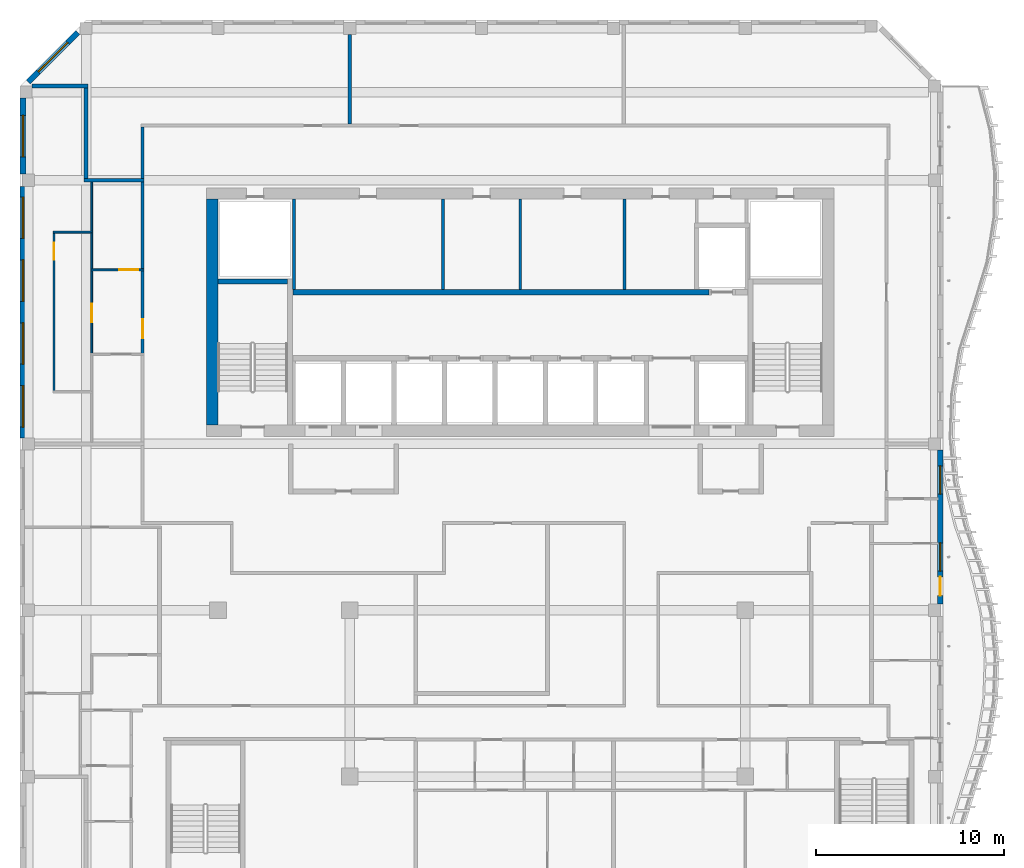
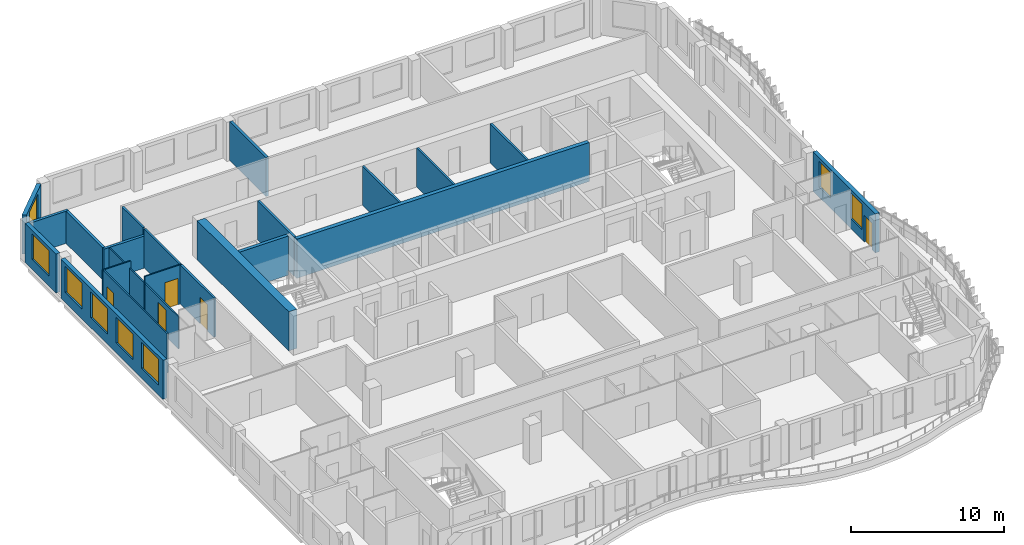
# One storey, part 7 of 18: 24 walls, 8 windows, 5 doors, 13 openings.
"""IFC4 building model written with IfcOpenShell, lengths in metres."""

import ifcopenshell
import ifcopenshell.guid

model = None  # the IFC model being written
_history = None  # IfcOwnerHistory: only IFC2X3 demands one
_inside = {}  # id of a spatial element -> (the spatial element, [elements in it])
_under = {}  # id of a project, library or spatial element -> (it, [spatial elements below it])
_declared = {}  # id of a project -> (the project, [libraries it declares])
_typed = {}  # id of a type object -> (the type object, [elements of that type])
_made_of = {}  # id of a material, layer set ... -> (it, [elements and type objects made of it])


def new_model(schema):
    """Start an empty IFC model of exactly this schema.

    Asked for "IFC4X3", IfcOpenShell would pick the latest addendum, in which some entities
    have other attributes; the version numbers below select the first issue.
    IFC2X3 requires an IfcOwnerHistory on every rooted entity: one is made here for all.
    """
    global model, _history
    if schema == "IFC4X3":
        model = ifcopenshell.file(schema_version=(4, 3, 0, 0))
    else:
        model = ifcopenshell.file(schema=schema)
    _inside.clear()
    _under.clear()
    _declared.clear()
    _typed.clear()
    _made_of.clear()
    _history = None
    if model.schema == "IFC2X3":
        org = make("IfcOrganization", Name="unknown")
        user = make(
            "IfcPersonAndOrganization",
            ThePerson=make("IfcPerson", FamilyName="unknown"),
            TheOrganization=org,
        )
        app = make(
            "IfcApplication",
            ApplicationDeveloper=org,
            Version="unknown",
            ApplicationFullName="unknown",
            ApplicationIdentifier="unknown",
        )
        _history = make(
            "IfcOwnerHistory",
            OwningUser=user,
            OwningApplication=app,
            ChangeAction="ADDED",
            CreationDate=0,
        )
    return model


def make(cls, **values):
    """One entity of the class cls with the attributes given. An attribute that is None is left unset."""
    return model.create_entity(
        cls, **{name: value for name, value in values.items() if value is not None}
    )


def rooted(cls, **values):
    """An entity with a GlobalId (a new one), such as an element, a storey or a relation."""
    return make(cls, GlobalId=ifcopenshell.guid.new(), OwnerHistory=_history, **values)


def si_unit(unit_type, name, prefix=None):
    """IfcSIUnit, for example si_unit("LENGTHUNIT", "METRE", prefix="MILLI")."""
    return make("IfcSIUnit", UnitType=unit_type, Prefix=prefix, Name=name)


def assignment(units):
    """IfcUnitAssignment: the units of a project."""
    return None if units is None else make("IfcUnitAssignment", Units=units)


def point(xyz):
    """IfcCartesianPoint."""
    return None if xyz is None else make("IfcCartesianPoint", Coordinates=xyz)


def direction(xyz):
    """IfcDirection."""
    return None if xyz is None else make("IfcDirection", DirectionRatios=xyz)


def frame(location, z_axis=None, x_axis=None):
    """IfcAxis2Placement3D, a coordinate frame: its origin and axes. An axis left out is left unset."""
    return make(
        "IfcAxis2Placement3D",
        Location=point(location),
        Axis=direction(z_axis),
        RefDirection=direction(x_axis),
    )


def frame_2d(location, x_axis=None):
    """IfcAxis2Placement2D, a coordinate frame in the plane: its origin and x axis."""
    return make(
        "IfcAxis2Placement2D", Location=point(location), RefDirection=direction(x_axis)
    )


def origin():
    """The frame at (0, 0, 0) with its axes left unset."""
    return frame((0.0, 0.0, 0.0))


def place(relative_to, where):
    """IfcLocalPlacement: puts the frame where relative to a parent placement (None: the world)."""
    return make(
        "IfcLocalPlacement", PlacementRelTo=relative_to, RelativePlacement=where
    )


def context(
    kind, dimensions, precision=None, world=None, true_north=None, identifier=None
):
    """IfcGeometricRepresentationContext, for example the 3D "Model" context."""
    return make(
        "IfcGeometricRepresentationContext",
        ContextIdentifier=identifier,
        ContextType=kind,
        CoordinateSpaceDimension=dimensions,
        Precision=precision,
        WorldCoordinateSystem=world,
        TrueNorth=true_north,
    )


def subcontext(parent, identifier, kind, view, scale=None):
    """IfcGeometricRepresentationSubContext, for example "Body" below "Model"."""
    return make(
        "IfcGeometricRepresentationSubContext",
        ContextIdentifier=identifier,
        ContextType=kind,
        ParentContext=parent,
        TargetScale=scale,
        TargetView=view,
    )


def project(units=None, contexts=None):
    """IfcProject with its units and contexts."""
    return rooted(
        "IfcProject",
        Name="project",
        RepresentationContexts=contexts,
        UnitsInContext=assignment(units),
    )


def spatial(cls, under=None, at=None, **own):
    """A site, building, storey or space (cls), placed at a placement, below another one or the project."""
    s = rooted(cls, ObjectPlacement=at, **own)
    if under is not None:
        _under.setdefault(under.id(), (under, []))[1].append(s)
    return s


def profile(cls, at=None, kind="AREA", **sizes):
    """A parametric profile (cls). Its sizes go by their IFC names, for example OverallWidth=200.0."""
    return make(cls, ProfileType=kind, Position=at, **sizes)


def rectangle(**sizes):
    """IfcRectangleProfileDef."""
    return profile("IfcRectangleProfileDef", **sizes)


def extrude(swept, where, along, depth):
    """IfcExtrudedAreaSolid: the profile swept, set in the frame where, extruded along a direction by depth."""
    return make(
        "IfcExtrudedAreaSolid",
        SweptArea=swept,
        Position=where,
        ExtrudedDirection=direction(along),
        Depth=depth,
    )


def shape(context_of_items, identifier, shape_type, items):
    """IfcShapeRepresentation: the items that make up one representation, for example the "Body"."""
    return make(
        "IfcShapeRepresentation",
        ContextOfItems=context_of_items,
        RepresentationIdentifier=identifier,
        RepresentationType=shape_type,
        Items=items,
    )


def source(mapping_origin, context_of_items, identifier, shape_type, items):
    """IfcRepresentationMap: a shape defined once, which mapped items show again and again."""
    return make(
        "IfcRepresentationMap",
        MappingOrigin=mapping_origin,
        MappedRepresentation=shape(context_of_items, identifier, shape_type, items),
    )


def transform(
    local_origin,
    x_axis=None,
    y_axis=None,
    z_axis=None,
    scale=None,
    scale2=None,
    scale3=None,
    uniform=True,
):
    """IfcCartesianTransformationOperator3D, or its non-uniform kind. x_axis, y_axis, z_axis: its Axis1, 2, 3."""
    if uniform:
        return make(
            "IfcCartesianTransformationOperator3D",
            Axis1=direction(x_axis),
            Axis2=direction(y_axis),
            LocalOrigin=point(local_origin),
            Scale=scale,
            Axis3=direction(z_axis),
        )
    return make(
        "IfcCartesianTransformationOperator3DnonUniform",
        Axis1=direction(x_axis),
        Axis2=direction(y_axis),
        LocalOrigin=point(local_origin),
        Scale=scale,
        Axis3=direction(z_axis),
        Scale2=scale2,
        Scale3=scale3,
    )


def mapped(mapping_source, mapping_target):
    """IfcMappedItem: shows the shape of a source again, moved by a transform."""
    return make(
        "IfcMappedItem", MappingSource=mapping_source, MappingTarget=mapping_target
    )


def material(Name=None, Category=None):
    """IfcMaterial."""
    return make("IfcMaterial", Name=Name, Category=Category)


def layer(
    of_material, thickness, ventilated=None, Name=None, Category=None, Priority=None
):
    """IfcMaterialLayer: one layer of a wall or slab, of a material (None: an air gap)."""
    return make(
        "IfcMaterialLayer",
        Material=of_material,
        LayerThickness=thickness,
        IsVentilated=ventilated,
        Name=Name,
        Category=Category,
        Priority=Priority,
    )


def layer_set(layers, Name=None):
    """IfcMaterialLayerSet."""
    return make("IfcMaterialLayerSet", MaterialLayers=layers, LayerSetName=Name)


def made_of(thing, what):
    """Note that an element or type object is made of a material, layer set ...; save() writes the relation."""
    if what is not None:
        _made_of.setdefault(what.id(), (what, []))[1].append(thing)
    return thing


def type_object(cls, material=None, **own):
    """A type object (cls), such as IfcWallType, which elements share."""
    return made_of(rooted(cls, **own), material)


def element(
    cls,
    number,
    at=None,
    inside=None,
    cuts=None,
    type_object=None,
    material=None,
    context=None,
    identifier="Body",
    shape_type=None,
    held_by="IfcProductDefinitionShape",
    body=None,
    shapes=None,
    **own,
):
    """One element of the class cls, such as IfcWall. Its Tag is "e" and its number.

    at: its placement. inside: the storey or other place that contains it. cuts: it is an
    opening in that element (IfcRelVoidsElement). A single representation is given by context,
    identifier, shape_type and body (its items); several are given by shapes. held_by: the class
    of the entity that holds the representations. save() writes the other relations.
    """
    e = rooted(cls, Tag="e%d" % number, ObjectPlacement=at, **own)
    if body is not None:
        shapes = [shape(context, identifier, shape_type, body)]
    if shapes is not None:
        e.Representation = make(held_by, Representations=shapes)
    if inside is not None:
        _inside.setdefault(inside.id(), (inside, []))[1].append(e)
    if cuts is not None:
        rooted(
            "IfcRelVoidsElement", RelatingBuildingElement=cuts, RelatedOpeningElement=e
        )
    if type_object is not None:
        _typed.setdefault(type_object.id(), (type_object, []))[1].append(e)
    return made_of(e, material)


def fill(opening, filler):
    """IfcRelFillsElement: the door or window that sits in an opening."""
    return rooted(
        "IfcRelFillsElement",
        RelatingOpeningElement=opening,
        RelatedBuildingElement=filler,
    )


def aggregate(whole, parts):
    """IfcRelAggregates: a whole, such as a stair, and the parts it consists of."""
    return rooted("IfcRelAggregates", RelatingObject=whole, RelatedObjects=parts)


def save(model, path):
    """Write the relations noted so far, then the file.

    IfcRelAggregates (storeys below a building ...), IfcRelContainedInSpatialStructure (elements
    in a storey), IfcRelDefinesByType, IfcRelAssociatesMaterial and IfcRelDeclares: one each for
    every whole, place, type object, material and project.
    """
    for whole, parts in _under.values():
        aggregate(whole, parts)
    for where, things in _inside.values():
        rooted(
            "IfcRelContainedInSpatialStructure",
            RelatedElements=things,
            RelatingStructure=where,
        )
    for kind, things in _typed.values():
        rooted("IfcRelDefinesByType", RelatedObjects=things, RelatingType=kind)
    for what, things in _made_of.values():
        rooted("IfcRelAssociatesMaterial", RelatedObjects=things, RelatingMaterial=what)
    for by, libraries in _declared.values():
        rooted("IfcRelDeclares", RelatingContext=by, RelatedDefinitions=libraries)
    model.write(path)


model = new_model("IFC4")

# Units and contexts
model_context = context("Model", 3, precision=1e-05, world=origin(), true_north=direction((0.0, 1.0)))
body_context = subcontext(model_context, "Body", "Model", "MODEL_VIEW")
ifc_project = project(units=[si_unit("LENGTHUNIT", "METRE"), si_unit("AREAUNIT", "SQUARE_METRE"), si_unit("VOLUMEUNIT", "CUBIC_METRE"), si_unit("PLANEANGLEUNIT", "RADIAN"), si_unit("MASSUNIT", "GRAM", prefix="KILO")], contexts=[model_context])

# Site, building, storey
site_placement = place(None, origin())
site = spatial("IfcSite", under=ifc_project, at=site_placement, CompositionType="ELEMENT")
building_placement = place(site_placement, origin())
building = spatial("IfcBuilding", under=site, at=building_placement, Name="Kilnfold Tower and Market Hall", CompositionType="ELEMENT")
storey_placement = place(building_placement, frame((0.0, 0.0, 270.39990234375)))
storey = spatial("IfcBuildingStorey", under=building, at=storey_placement, Name="L66", CompositionType="ELEMENT", Elevation=270.39990234375)

# Wall
ifc_material_1 = material(Name="Gypsum board on steel studs", Category="steel")
ifc_layer_1 = layer(ifc_material_1, 0.14990234375)
ifc_layer_set_1 = layer_set([ifc_layer_1], Name="Gypsum board on steel studs")
wall_type_1 = type_object("IfcWallType", Name="WALL CORRIDOR 150", PredefinedType="PARTITIONING", material=ifc_layer_set_1)
wall_1_placement = place(storey_placement, frame((-19.0, 22.090087890625, 0.0), z_axis=(0.0, 0.0, 1.0), x_axis=(0.0, 1.0, 0.0)))
element("IfcWall", 1, at=wall_1_placement, inside=storey, type_object=wall_type_1, Name="Partition LY41.22", PredefinedType="PARTITIONING", context=body_context, shape_type="SweptSolid", body=[
    extrude(rectangle(XDim=2.73486328125, YDim=0.14990234375, at=frame_2d((1.367431640625, 0.0))), origin(), (0.0, 0.0, 1.0), 3.1201171875),
])

# Wall, opening, door
wall_2_placement = place(storey_placement, frame((-19.0, 12.800048828125, 0.0), z_axis=(0.0, 0.0, 1.0), x_axis=(0.0, 1.0, 0.0)))
wall_2 = element("IfcWall", 2, at=wall_2_placement, inside=storey, type_object=wall_type_1, Name="Partition LY41.25", PredefinedType="PARTITIONING", context=body_context, shape_type="SweptSolid", body=[
    extrude(rectangle(XDim=4.39990234375, YDim=0.14990234375, at=frame_2d((2.199951171875, 0.0))), origin(), (0.0, 0.0, 1.0), 3.1201171875),
])
opening_1_placement = place(wall_2_placement, frame((0.821044921875, 0.0, 0.0)))
opening_1 = element("IfcOpeningElement", 3, at=opening_1_placement, cuts=wall_2, Name="Opening D1", PredefinedType="OPENING", context=body_context, shape_type="SweptSolid", body=[
    extrude(rectangle(XDim=1.0, YDim=2.10009765625, at=frame_2d((0.5, 1.050048828125))), frame((0.0, 0.0849609375, 0.0), z_axis=(0.0, -1.0, 0.0), x_axis=(1.0, 0.0, 0.0)), (0.0, 0.0, 1.0), 0.169921875),
])
ifc_material_2 = material(Name="Timber veneer door leaf in steel frame", Category="steel")
door_type_1 = type_object("IfcDoorType", Name="DOOR ENTRY 1000 X2100", OperationType="NOTDEFINED", PredefinedType="DOOR", material=ifc_material_2)
door_1_placement = place(opening_1_placement, origin())
door_1 = element("IfcDoor", 4, at=door_1_placement, inside=storey, type_object=door_type_1, Name="Door D1", OperationType="SINGLE_SWING_RIGHT", OverallHeight=2.10009765625, OverallWidth=1.0, PredefinedType="DOOR", context=body_context, shape_type="SweptSolid", body=[
    extrude(rectangle(XDim=1.0, YDim=2.10009765625, at=frame_2d((0.5, 1.050048828125))), frame((0.0, 0.02490234375, 0.0), z_axis=(0.0, -1.0, 0.0), x_axis=(1.0, 0.0, 0.0)), (0.0, 0.0, 1.0), 0.050048828125),
])
fill(opening_1, door_1)

# Wall
wall_3_placement = place(storey_placement, frame((-19.0, 17.280029296875, 0.0), z_axis=(0.0, 0.0, 1.0), x_axis=(0.0, 1.0, 0.0)))
element("IfcWall", 5, at=wall_3_placement, inside=storey, type_object=wall_type_1, Name="Partition LY41.26", PredefinedType="PARTITIONING", context=body_context, shape_type="SweptSolid", body=[
    extrude(rectangle(XDim=4.6298828125, YDim=0.14990234375, at=frame_2d((2.31494140625, 0.0))), origin(), (0.0, 0.0, 1.0), 3.1201171875),
])

# Wall, opening, door
ifc_material_3 = material(Name="Gypsum board on steel studs", Category="steel")
ifc_layer_2 = layer(ifc_material_3, 0.10009765625)
ifc_layer_set_2 = layer_set([ifc_layer_2], Name="Gypsum board on steel studs")
wall_type_2 = type_object("IfcWallType", Name="WALL PARTITION 100", PredefinedType="PARTITIONING", material=ifc_layer_set_2)
wall_4_placement = place(storey_placement, frame((-18.927001953125, 17.239990234375, 0.0), z_axis=(0.0, 0.0, 1.0), x_axis=(-1.0, 0.0, 0.0)))
wall_4 = element("IfcWall", 6, at=wall_4_placement, inside=storey, type_object=wall_type_2, Name="Partition LY41.88", PredefinedType="PARTITIONING", context=body_context, shape_type="SweptSolid", body=[
    extrude(rectangle(XDim=2.822998046875, YDim=0.10009765625, at=frame_2d((1.41162109375, 0.0))), origin(), (0.0, 0.0, 1.0), 3.1201171875),
])
opening_2_placement = place(wall_4_placement, frame((0.302001953125, 0.0, 0.0)))
opening_2 = element("IfcOpeningElement", 7, at=opening_2_placement, cuts=wall_4, Name="Opening D1", PredefinedType="OPENING", context=body_context, shape_type="SweptSolid", body=[
    extrude(rectangle(XDim=1.0, YDim=2.10009765625, at=frame_2d((0.5, 1.050048828125))), frame((0.0, 0.06005859375, 0.0), z_axis=(0.0, -1.0, 0.0), x_axis=(1.0, 0.0, 0.0)), (0.0, 0.0, 1.0), 0.1201171875),
])
door_2_placement = place(opening_2_placement, origin())
door_2 = element("IfcDoor", 8, at=door_2_placement, inside=storey, type_object=door_type_1, Name="Door D1", OperationType="SINGLE_SWING_RIGHT", OverallHeight=2.10009765625, OverallWidth=1.0, PredefinedType="DOOR", context=body_context, shape_type="SweptSolid", body=[
    extrude(rectangle(XDim=1.0, YDim=2.10009765625, at=frame_2d((0.5, 1.050048828125))), frame((0.0, 0.02490234375, 0.0), z_axis=(0.0, -1.0, 0.0), x_axis=(1.0, 0.0, 0.0)), (0.0, 0.0, 1.0), 0.050048828125),
])
fill(opening_2, door_2)

wall_5_placement = place(storey_placement, frame((-21.699951171875, 12.81005859375, 0.0), z_axis=(0.0, 0.0, 1.0), x_axis=(0.0, 1.0, 0.0)))
wall_5 = element("IfcWall", 9, at=wall_5_placement, inside=storey, type_object=wall_type_2, Name="Partition LY41.89", PredefinedType="PARTITIONING", context=body_context, shape_type="SweptSolid", body=[
    extrude(rectangle(XDim=4.3798828125, YDim=0.10009765625, at=frame_2d((2.18994140625, 0.0))), origin(), (0.0, 0.0, 1.0), 2.570068359375),
])
opening_3_placement = place(wall_5_placement, frame((1.638916015625, 0.0, 0.0)))
opening_3 = element("IfcOpeningElement", 10, at=opening_3_placement, cuts=wall_5, Name="Opening D1", PredefinedType="OPENING", context=body_context, shape_type="SweptSolid", body=[
    extrude(rectangle(XDim=1.0, YDim=2.10009765625, at=frame_2d((0.5, 1.050048828125))), frame((0.0, 0.06005859375, 0.0), z_axis=(0.0, -1.0, 0.0), x_axis=(1.0, 0.0, 0.0)), (0.0, 0.0, 1.0), 0.1201171875),
])
door_3_placement = place(opening_3_placement, origin())
door_3 = element("IfcDoor", 11, at=door_3_placement, inside=storey, type_object=door_type_1, Name="Door D1", OperationType="SINGLE_SWING_RIGHT", OverallHeight=2.10009765625, OverallWidth=1.0, PredefinedType="DOOR", context=body_context, shape_type="SweptSolid", body=[
    extrude(rectangle(XDim=1.0, YDim=2.10009765625, at=frame_2d((0.5, 1.050048828125))), frame((0.0, 0.02490234375, 0.0), z_axis=(0.0, -1.0, 0.0), x_axis=(1.0, 0.0, 0.0)), (0.0, 0.0, 1.0), 0.050048828125),
])
fill(opening_3, door_3)

# Walls
wall_6_placement = place(storey_placement, frame((-21.699951171875, 19.281005859375, 0.0), z_axis=(0.0, 0.0, 1.0), x_axis=(0.0, 1.0, 0.0)))
element("IfcWall", 12, at=wall_6_placement, inside=storey, type_object=wall_type_2, Name="Partition LY41.90", PredefinedType="PARTITIONING", context=body_context, shape_type="SweptSolid", body=[
    extrude(rectangle(XDim=2.618896484375, YDim=0.10009765625, at=frame_2d((1.3095703125, 0.0))), origin(), (0.0, 0.0, 1.0), 2.570068359375),
])
wall_7_placement = place(storey_placement, frame((-21.699951171875, 17.2900390625, 0.0), z_axis=(0.0, 0.0, 1.0), x_axis=(0.0, 1.0, 0.0)))
element("IfcWall", 13, at=wall_7_placement, inside=storey, type_object=wall_type_2, Name="Partition LY41.91", PredefinedType="PARTITIONING", context=body_context, shape_type="SweptSolid", body=[
    extrude(rectangle(XDim=1.909912109375, YDim=0.10009765625, at=frame_2d((0.955078125, 0.0))), origin(), (0.0, 0.0, 1.0), 2.570068359375),
])
wall_8_placement = place(storey_placement, frame((-23.7509765625, 19.240966796875, 0.0), z_axis=(0.0, 0.0, 1.0), x_axis=(1.0, 0.0, 0.0)))
element("IfcWall", 14, at=wall_8_placement, inside=storey, type_object=wall_type_2, Name="Partition LY41.92", PredefinedType="PARTITIONING", context=body_context, shape_type="SweptSolid", body=[
    extrude(rectangle(XDim=2.098876953125, YDim=0.10009765625, at=frame_2d((1.04931640625, 0.0))), origin(), (0.0, 0.0, 1.0), 3.1201171875),
])

# Wall, opening, door
wall_9_placement = place(storey_placement, frame((-23.700927734375, 10.80908203125, 0.0), z_axis=(0.0, 0.0, 1.0), x_axis=(0.0, 1.0, 0.0)))
wall_9 = element("IfcWall", 15, at=wall_9_placement, inside=storey, type_object=wall_type_2, Name="Partition LY41.93", PredefinedType="PARTITIONING", context=body_context, shape_type="SweptSolid", body=[
    extrude(rectangle(XDim=8.3818359375, YDim=0.10009765625, at=frame_2d((4.19091796875, 0.0))), origin(), (0.0, 0.0, 1.0), 3.1201171875),
])
opening_4_placement = place(wall_9_placement, frame((6.97802734375, 0.0, 0.0)))
opening_4 = element("IfcOpeningElement", 16, at=opening_4_placement, cuts=wall_9, Name="Opening D2", PredefinedType="OPENING", context=body_context, shape_type="SweptSolid", body=[
    extrude(rectangle(XDim=0.89990234375, YDim=2.10009765625, at=frame_2d((0.449951171875, 1.050048828125))), frame((0.0, 0.06005859375, 0.0), z_axis=(0.0, -1.0, 0.0), x_axis=(1.0, 0.0, 0.0)), (0.0, 0.0, 1.0), 0.1201171875),
])
ifc_material_4 = material(Name="Timber veneer door leaf in steel frame", Category="steel")
door_type_2 = type_object("IfcDoorType", Name="DOOR ROOM 900 X2100", OperationType="NOTDEFINED", PredefinedType="DOOR", material=ifc_material_4)
door_4_placement = place(opening_4_placement, origin())
door_4 = element("IfcDoor", 17, at=door_4_placement, inside=storey, type_object=door_type_2, Name="Door D2", OperationType="SINGLE_SWING_LEFT", OverallHeight=2.10009765625, OverallWidth=0.89990234375, PredefinedType="DOOR", context=body_context, shape_type="SweptSolid", body=[
    extrude(rectangle(XDim=0.89990234375, YDim=2.10009765625, at=frame_2d((0.449951171875, 1.050048828125))), frame((0.0, 0.02490234375, 0.0), z_axis=(0.0, -1.0, 0.0), x_axis=(1.0, 0.0, 0.0)), (0.0, 0.0, 1.0), 0.050048828125),
])
fill(opening_4, door_4)

# Walls
ifc_material_5 = material(Name="Gypsum board on steel studs", Category="steel")
ifc_layer_3 = layer(ifc_material_5, 0.199951171875)
ifc_layer_set_3 = layer_set([ifc_layer_3], Name="Gypsum board on steel studs")
wall_type_3 = type_object("IfcWallType", Name="WALL PARTY 200", PredefinedType="PARTITIONING", material=ifc_layer_set_3)
wall_10_placement = place(storey_placement, frame((-8.0, 29.72509765625, 0.0), z_axis=(0.0, 0.0, 1.0), x_axis=(0.0, -1.0, 0.0)))
element("IfcWall", 18, at=wall_10_placement, inside=storey, type_object=wall_type_3, Name="Partition LY41.81", PredefinedType="PARTITIONING", context=body_context, shape_type="SweptSolid", body=[
    extrude(rectangle(XDim=4.748046875, YDim=0.199951171875, at=frame_2d((2.3740234375, 0.0))), origin(), (0.0, 0.0, 1.0), 3.1201171875),
])
wall_11_placement = place(storey_placement, frame((-22.0, 22.10009765625, 0.0), z_axis=(0.0, 0.0, 1.0), x_axis=(0.0, 1.0, 0.0)))
element("IfcWall", 19, at=wall_11_placement, inside=storey, type_object=wall_type_3, Name="Partition LY41.82", PredefinedType="PARTITIONING", context=body_context, shape_type="SweptSolid", body=[
    extrude(rectangle(XDim=4.7998046875, YDim=0.199951171875, at=frame_2d((2.39990234375, 0.0))), origin(), (0.0, 0.0, 1.0), 2.570068359375),
])
wall_12_placement = place(storey_placement, frame((-24.85693359375, 27.0, 0.0), z_axis=(0.0, 0.0, 1.0), x_axis=(1.0, 0.0, 0.0)))
element("IfcWall", 20, at=wall_12_placement, inside=storey, type_object=wall_type_3, Name="Partition LY41.83", PredefinedType="PARTITIONING", context=body_context, shape_type="SweptSolid", body=[
    extrude(rectangle(XDim=2.95703125, YDim=0.199951171875, at=frame_2d((1.478515625, 0.0))), origin(), (0.0, 0.0, 1.0), 2.570068359375),
])
wall_13_placement = place(storey_placement, frame((-22.10009765625, 22.0, 0.0), z_axis=(0.0, 0.0, 1.0), x_axis=(1.0, 0.0, 0.0)))
element("IfcWall", 21, at=wall_13_placement, inside=storey, type_object=wall_type_3, Name="Partition LY41.84", PredefinedType="PARTITIONING", context=body_context, shape_type="SweptSolid", body=[
    extrude(rectangle(XDim=3.173095703125, YDim=0.199951171875, at=frame_2d((1.58642578125, 0.0))), origin(), (0.0, 0.0, 1.0), 2.570068359375),
])
ifc_material_6 = material(Name="Concrete C50", Category="concrete")
ifc_layer_4 = layer(ifc_material_6, 0.25)
ifc_layer_set_4 = layer_set([ifc_layer_4], Name="Concrete C50")
wall_type_4 = type_object("IfcWallType", Name="CORE WALL 250 C50", PredefinedType="SHEAR", material=ifc_layer_set_4)
shared_shape_1 = source(origin(), body_context, "Body", "SweptSolid", [
    extrude(rectangle(XDim=3.699951171875, YDim=0.25, at=frame_2d((1.85009765625, 0.0))), origin(), (0.0, 0.0, 1.0), 3.1201171875),
])
wall_14_placement = place(storey_placement, frame((-15.0, 16.625, 0.0), z_axis=(0.0, 0.0, 1.0), x_axis=(1.0, 0.0, 0.0)))
element("IfcWall", 22, at=wall_14_placement, inside=storey, type_object=wall_type_4, Name="Stair enclosure ST1", PredefinedType="SHEAR", context=body_context, shape_type="MappedRepresentation", body=[
    mapped(shared_shape_1, transform((0.0, 0.0, 0.0))),
])
ifc_material_7 = material(Name="Concrete C50", Category="concrete")
ifc_layer_5 = layer(ifc_material_7, 0.300048828125)
ifc_layer_set_5 = layer_set([ifc_layer_5], Name="Concrete C50")
wall_type_5 = type_object("IfcWallType", Name="CORE WALL 300 C50", PredefinedType="SHEAR", material=ifc_layer_set_5)
shared_shape_2 = source(origin(), body_context, "Body", "SweptSolid", [
    extrude(rectangle(XDim=22.080078125, YDim=0.300048828125, at=frame_2d((11.0400390625, 0.0))), origin(), (0.0, 0.0, 1.0), 3.1201171875),
])
wall_15_placement = place(storey_placement, frame((-11.010009765625, 16.050048828125, 0.0), z_axis=(0.0, 0.0, 1.0), x_axis=(1.0, 0.0, 0.0)))
element("IfcWall", 23, at=wall_15_placement, inside=storey, type_object=wall_type_5, Name="Core spine wall", PredefinedType="SHEAR", context=body_context, shape_type="MappedRepresentation", body=[
    mapped(shared_shape_2, transform((0.0, 0.0, 0.0))),
])
ifc_material_8 = material(Name="Concrete C50", Category="concrete")
ifc_layer_6 = layer(ifc_material_8, 0.60009765625)
ifc_layer_set_6 = layer_set([ifc_layer_6], Name="Concrete C50")
wall_type_6 = type_object("IfcWallType", Name="CORE WALL 600 C50", PredefinedType="SHEAR", material=ifc_layer_set_6)
shared_shape_3 = source(origin(), body_context, "Body", "SweptSolid", [
    extrude(rectangle(XDim=12.0, YDim=0.60009765625, at=frame_2d((6.0, 0.0))), origin(), (0.0, 0.0, 1.0), 3.1201171875),
])
wall_16_placement = place(storey_placement, frame((-15.300048828125, 9.0, 0.0), z_axis=(0.0, 0.0, 1.0), x_axis=(0.0, 1.0, 0.0)))
element("IfcWall", 24, at=wall_16_placement, inside=storey, type_object=wall_type_6, Name="Core outer wall west", PredefinedType="SHEAR", context=body_context, shape_type="MappedRepresentation", body=[
    mapped(shared_shape_3, transform((0.0, 0.0, 0.0))),
])

# Wall, opening, window
ifc_material_9 = material(Name="Precast concrete C50/60", Category="concrete")
ifc_layer_7 = layer(ifc_material_9, 0.300048828125)
ifc_layer_set_7 = layer_set([ifc_layer_7], Name="Precast concrete C50/60")
wall_type_7 = type_object("IfcWallType", Name="PRECAST WALL 300", PredefinedType="SOLIDWALL", material=ifc_layer_set_7)
shared_shape_4 = source(origin(), body_context, "Body", "SweptSolid", [
    extrude(rectangle(XDim=3.71240234375, YDim=0.300048828125, at=frame_2d((1.856201171875, 0.0))), origin(), (0.0, 0.0, 1.0), 3.1201171875),
])
wall_17_placement = place(storey_placement, frame((-22.44384765625, 29.843994140625, 0.0), z_axis=(0.0, 0.0, 1.0), x_axis=(-0.707106781187, -0.707106781187, 0.0)))
wall_17 = element("IfcWall", 25, at=wall_17_placement, inside=storey, type_object=wall_type_7, Name="External wall L66 NW", PredefinedType="SOLIDWALL", context=body_context, shape_type="MappedRepresentation", body=[
    mapped(shared_shape_4, transform((0.0, 0.0, 0.0))),
])
opening_5_placement = place(wall_17_placement, frame((0.756103515625, 0.0, 0.800048828125)))
opening_5 = element("IfcOpeningElement", 26, at=opening_5_placement, cuts=wall_17, Name="Opening W3", PredefinedType="OPENING", context=body_context, shape_type="SweptSolid", body=[
    extrude(rectangle(XDim=2.199951171875, YDim=2.050048828125, at=frame_2d((1.10009765625, 1.02490234375))), frame((0.0, 0.16015625, 0.0), z_axis=(0.0, -1.0, 0.0), x_axis=(1.0, 0.0, 0.0)), (0.0, 0.0, 1.0), 0.320068359375),
])
ifc_material_10 = material(Name="Aluminium frame and double glazing", Category="aluminium")
window_type_1 = type_object("IfcWindowType", Name="WINDOW W3 2200X2050", PartitioningType="SINGLE_PANEL", PredefinedType="WINDOW", material=ifc_material_10)
window_1_placement = place(opening_5_placement, origin())
window_1 = element("IfcWindow", 27, at=window_1_placement, inside=storey, type_object=window_type_1, Name="Window W3 L66 NW-1", OverallHeight=2.050048828125, OverallWidth=2.199951171875, PartitioningType="SINGLE_PANEL", PredefinedType="WINDOW", context=body_context, shape_type="SweptSolid", body=[
    extrude(rectangle(XDim=2.199951171875, YDim=2.050048828125, at=frame_2d((1.10009765625, 1.02490234375))), frame((0.0, 0.030029296875, 0.0), z_axis=(0.0, -1.0, 0.0), x_axis=(1.0, 0.0, 0.0)), (0.0, 0.0, 1.0), 0.06005859375),
])
fill(opening_5, window_1)

# Wall, openings, door, windows
shared_shape_5 = source(origin(), body_context, "Body", "SweptSolid", [
    extrude(rectangle(XDim=8.183349609375, YDim=0.300048828125, at=frame_2d((4.091796875, 0.0))), origin(), (0.0, 0.0, 1.0), 3.1201171875),
])
wall_18_placement = place(storey_placement, frame((23.35009765625, -0.50830078125, 0.0), z_axis=(0.0, 0.0, 1.0), x_axis=(0.0, 1.0, 0.0)))
wall_18 = element("IfcWall", 28, at=wall_18_placement, inside=storey, type_object=wall_type_7, Name="External wall L66 E", PredefinedType="SOLIDWALL", context=body_context, shape_type="MappedRepresentation", body=[
    mapped(shared_shape_5, transform((0.0, 0.0, 0.0))),
])
opening_6_placement = place(wall_18_placement, frame((1.75, 0.0, 0.800048828125)))
opening_6 = element("IfcOpeningElement", 29, at=opening_6_placement, cuts=wall_18, Name="Opening W5", PredefinedType="OPENING", context=body_context, shape_type="SweptSolid", body=[
    extrude(rectangle(XDim=1.5, YDim=2.050048828125, at=frame_2d((0.75, 1.02490234375))), frame((0.0, 0.16015625, 0.0), z_axis=(0.0, -1.0, 0.0), x_axis=(1.0, 0.0, 0.0)), (0.0, 0.0, 1.0), 0.320068359375),
])
opening_7_placement = place(wall_18_placement, frame((0.449951171875, 0.0, 0.0)))
opening_7 = element("IfcOpeningElement", 30, at=opening_7_placement, cuts=wall_18, Name="Opening BD1", PredefinedType="OPENING", context=body_context, shape_type="SweptSolid", body=[
    extrude(rectangle(XDim=1.0, YDim=2.10009765625, at=frame_2d((0.5, 1.050048828125))), frame((0.0, 0.16015625, 0.0), z_axis=(0.0, -1.0, 0.0), x_axis=(1.0, 0.0, 0.0)), (0.0, 0.0, 1.0), 0.320068359375),
])
opening_8_placement = place(wall_18_placement, frame((5.841552734375, 0.0, 0.800048828125)))
opening_8 = element("IfcOpeningElement", 31, at=opening_8_placement, cuts=wall_18, Name="Opening W5", PredefinedType="OPENING", context=body_context, shape_type="SweptSolid", body=[
    extrude(rectangle(XDim=1.5, YDim=2.050048828125, at=frame_2d((0.75, 1.02490234375))), frame((0.0, 0.16015625, 0.0), z_axis=(0.0, -1.0, 0.0), x_axis=(1.0, 0.0, 0.0)), (0.0, 0.0, 1.0), 0.320068359375),
])
ifc_material_11 = material(Name="Aluminium frame and double glazing", Category="aluminium")
door_type_3 = type_object("IfcDoorType", Name="BALCONY DOOR 1000X2100", OperationType="NOTDEFINED", PredefinedType="DOOR", material=ifc_material_11)
door_5_placement = place(opening_7_placement, origin())
door_5 = element("IfcDoor", 32, at=door_5_placement, inside=storey, type_object=door_type_3, Name="Balcony door BD1 L66 E-1", OperationType="SINGLE_SWING_LEFT", OverallHeight=2.10009765625, OverallWidth=1.0, PredefinedType="DOOR", context=body_context, shape_type="SweptSolid", body=[
    extrude(rectangle(XDim=1.0, YDim=2.10009765625, at=frame_2d((0.5, 1.050048828125))), frame((0.0, 0.02490234375, 0.0), z_axis=(0.0, -1.0, 0.0), x_axis=(1.0, 0.0, 0.0)), (0.0, 0.0, 1.0), 0.050048828125),
])
fill(opening_7, door_5)
ifc_material_12 = material(Name="Aluminium frame and double glazing", Category="aluminium")
window_type_2 = type_object("IfcWindowType", Name="WINDOW W5 1500X2050", PartitioningType="SINGLE_PANEL", PredefinedType="WINDOW", material=ifc_material_12)
window_2_placement = place(opening_6_placement, origin())
window_2 = element("IfcWindow", 33, at=window_2_placement, inside=storey, type_object=window_type_2, Name="Window W5 L66 E-1", OverallHeight=2.050048828125, OverallWidth=1.5, PartitioningType="SINGLE_PANEL", PredefinedType="WINDOW", context=body_context, shape_type="SweptSolid", body=[
    extrude(rectangle(XDim=1.5, YDim=2.050048828125, at=frame_2d((0.75, 1.02490234375))), frame((0.0, 0.030029296875, 0.0), z_axis=(0.0, -1.0, 0.0), x_axis=(1.0, 0.0, 0.0)), (0.0, 0.0, 1.0), 0.06005859375),
])
fill(opening_6, window_2)
window_3_placement = place(opening_8_placement, origin())
window_3 = element("IfcWindow", 34, at=window_3_placement, inside=storey, type_object=window_type_2, Name="Window W5 L66 E-2", OverallHeight=2.050048828125, OverallWidth=1.5, PartitioningType="SINGLE_PANEL", PredefinedType="WINDOW", context=body_context, shape_type="SweptSolid", body=[
    extrude(rectangle(XDim=1.5, YDim=2.050048828125, at=frame_2d((0.75, 1.02490234375))), frame((0.0, 0.030029296875, 0.0), z_axis=(0.0, -1.0, 0.0), x_axis=(1.0, 0.0, 0.0)), (0.0, 0.0, 1.0), 0.06005859375),
])
fill(opening_8, window_3)

# Wall, openings, windows
shared_shape_6 = source(origin(), body_context, "Body", "SweptSolid", [
    extrude(rectangle(XDim=13.35009765625, YDim=0.300048828125, at=frame_2d((6.675048828125, 0.0))), origin(), (0.0, 0.0, 1.0), 3.1201171875),
])
wall_19_placement = place(storey_placement, frame((-25.35009765625, 21.675048828125, 0.0), z_axis=(0.0, 0.0, 1.0), x_axis=(0.0, -1.0, 0.0)))
wall_19 = element("IfcWall", 35, at=wall_19_placement, inside=storey, type_object=wall_type_7, Name="External wall L66 W", PredefinedType="SOLIDWALL", context=body_context, shape_type="MappedRepresentation", body=[
    mapped(shared_shape_6, transform((0.0, 0.0, 0.0))),
])
opening_9_placement = place(wall_19_placement, frame((0.56884765625, 0.0, 0.800048828125)))
opening_9 = element("IfcOpeningElement", 36, at=opening_9_placement, cuts=wall_19, Name="Opening W3", PredefinedType="OPENING", context=body_context, shape_type="SweptSolid", body=[
    extrude(rectangle(XDim=2.199951171875, YDim=2.050048828125, at=frame_2d((1.10009765625, 1.02490234375))), frame((0.0, 0.16015625, 0.0), z_axis=(0.0, -1.0, 0.0), x_axis=(1.0, 0.0, 0.0)), (0.0, 0.0, 1.0), 0.320068359375),
])
opening_10_placement = place(wall_19_placement, frame((3.90625, 0.0, 0.800048828125)))
opening_10 = element("IfcOpeningElement", 37, at=opening_10_placement, cuts=wall_19, Name="Opening W3", PredefinedType="OPENING", context=body_context, shape_type="SweptSolid", body=[
    extrude(rectangle(XDim=2.199951171875, YDim=2.050048828125, at=frame_2d((1.10009765625, 1.02490234375))), frame((0.0, 0.16015625, 0.0), z_axis=(0.0, -1.0, 0.0), x_axis=(1.0, 0.0, 0.0)), (0.0, 0.0, 1.0), 0.320068359375),
])
opening_11_placement = place(wall_19_placement, frame((7.243896484375, 0.0, 0.800048828125)))
opening_11 = element("IfcOpeningElement", 38, at=opening_11_placement, cuts=wall_19, Name="Opening W3", PredefinedType="OPENING", context=body_context, shape_type="SweptSolid", body=[
    extrude(rectangle(XDim=2.199951171875, YDim=2.050048828125, at=frame_2d((1.10009765625, 1.02490234375))), frame((0.0, 0.16015625, 0.0), z_axis=(0.0, -1.0, 0.0), x_axis=(1.0, 0.0, 0.0)), (0.0, 0.0, 1.0), 0.320068359375),
])
opening_12_placement = place(wall_19_placement, frame((10.581298828125, 0.0, 0.800048828125)))
opening_12 = element("IfcOpeningElement", 39, at=opening_12_placement, cuts=wall_19, Name="Opening W3", PredefinedType="OPENING", context=body_context, shape_type="SweptSolid", body=[
    extrude(rectangle(XDim=2.199951171875, YDim=2.050048828125, at=frame_2d((1.10009765625, 1.02490234375))), frame((0.0, 0.16015625, 0.0), z_axis=(0.0, -1.0, 0.0), x_axis=(1.0, 0.0, 0.0)), (0.0, 0.0, 1.0), 0.320068359375),
])
window_4_placement = place(opening_9_placement, origin())
window_4 = element("IfcWindow", 40, at=window_4_placement, inside=storey, type_object=window_type_1, Name="Window W3 L66 W-1", OverallHeight=2.050048828125, OverallWidth=2.199951171875, PartitioningType="SINGLE_PANEL", PredefinedType="WINDOW", context=body_context, shape_type="SweptSolid", body=[
    extrude(rectangle(XDim=2.199951171875, YDim=2.050048828125, at=frame_2d((1.10009765625, 1.02490234375))), frame((0.0, 0.030029296875, 0.0), z_axis=(0.0, -1.0, 0.0), x_axis=(1.0, 0.0, 0.0)), (0.0, 0.0, 1.0), 0.06005859375),
])
fill(opening_9, window_4)
window_5_placement = place(opening_10_placement, origin())
window_5 = element("IfcWindow", 41, at=window_5_placement, inside=storey, type_object=window_type_1, Name="Window W3 L66 W-2", OverallHeight=2.050048828125, OverallWidth=2.199951171875, PartitioningType="SINGLE_PANEL", PredefinedType="WINDOW", context=body_context, shape_type="SweptSolid", body=[
    extrude(rectangle(XDim=2.199951171875, YDim=2.050048828125, at=frame_2d((1.10009765625, 1.02490234375))), frame((0.0, 0.030029296875, 0.0), z_axis=(0.0, -1.0, 0.0), x_axis=(1.0, 0.0, 0.0)), (0.0, 0.0, 1.0), 0.06005859375),
])
fill(opening_10, window_5)
window_6_placement = place(opening_11_placement, origin())
window_6 = element("IfcWindow", 42, at=window_6_placement, inside=storey, type_object=window_type_1, Name="Window W3 L66 W-3", OverallHeight=2.050048828125, OverallWidth=2.199951171875, PartitioningType="SINGLE_PANEL", PredefinedType="WINDOW", context=body_context, shape_type="SweptSolid", body=[
    extrude(rectangle(XDim=2.199951171875, YDim=2.050048828125, at=frame_2d((1.10009765625, 1.02490234375))), frame((0.0, 0.030029296875, 0.0), z_axis=(0.0, -1.0, 0.0), x_axis=(1.0, 0.0, 0.0)), (0.0, 0.0, 1.0), 0.06005859375),
])
fill(opening_11, window_6)
window_7_placement = place(opening_12_placement, origin())
window_7 = element("IfcWindow", 43, at=window_7_placement, inside=storey, type_object=window_type_1, Name="Window W3 L66 W-4", OverallHeight=2.050048828125, OverallWidth=2.199951171875, PartitioningType="SINGLE_PANEL", PredefinedType="WINDOW", context=body_context, shape_type="SweptSolid", body=[
    extrude(rectangle(XDim=2.199951171875, YDim=2.050048828125, at=frame_2d((1.10009765625, 1.02490234375))), frame((0.0, 0.030029296875, 0.0), z_axis=(0.0, -1.0, 0.0), x_axis=(1.0, 0.0, 0.0)), (0.0, 0.0, 1.0), 0.06005859375),
])
fill(opening_12, window_7)

# Wall, opening, window
shared_shape_7 = source(origin(), body_context, "Body", "SweptSolid", [
    extrude(rectangle(XDim=4.03173828125, YDim=0.300048828125, at=frame_2d((2.015869140625, 0.0))), origin(), (0.0, 0.0, 1.0), 3.1201171875),
])
wall_20_placement = place(storey_placement, frame((-25.35009765625, 26.356689453125, 0.0), z_axis=(0.0, 0.0, 1.0), x_axis=(0.0, -1.0, 0.0)))
wall_20 = element("IfcWall", 44, at=wall_20_placement, inside=storey, type_object=wall_type_7, Name="External wall L66 W", PredefinedType="SOLIDWALL", context=body_context, shape_type="MappedRepresentation", body=[
    mapped(shared_shape_7, transform((0.0, 0.0, 0.0))),
])
opening_13_placement = place(wall_20_placement, frame((0.916015625, 0.0, 0.800048828125)))
opening_13 = element("IfcOpeningElement", 45, at=opening_13_placement, cuts=wall_20, Name="Opening W3", PredefinedType="OPENING", context=body_context, shape_type="SweptSolid", body=[
    extrude(rectangle(XDim=2.199951171875, YDim=2.050048828125, at=frame_2d((1.10009765625, 1.02490234375))), frame((0.0, 0.16015625, 0.0), z_axis=(0.0, -1.0, 0.0), x_axis=(1.0, 0.0, 0.0)), (0.0, 0.0, 1.0), 0.320068359375),
])
window_8_placement = place(opening_13_placement, origin())
window_8 = element("IfcWindow", 46, at=window_8_placement, inside=storey, type_object=window_type_1, Name="Window W3 L66 W-1", OverallHeight=2.050048828125, OverallWidth=2.199951171875, PartitioningType="SINGLE_PANEL", PredefinedType="WINDOW", context=body_context, shape_type="SweptSolid", body=[
    extrude(rectangle(XDim=2.199951171875, YDim=2.050048828125, at=frame_2d((1.10009765625, 1.02490234375))), frame((0.0, 0.030029296875, 0.0), z_axis=(0.0, -1.0, 0.0), x_axis=(1.0, 0.0, 0.0)), (0.0, 0.0, 1.0), 0.06005859375),
])
fill(opening_13, window_8)

# Walls
ifc_material_13 = material(Name="Gypsum shaft wall system")
ifc_layer_8 = layer(ifc_material_13, 0.1650390625)
ifc_layer_set_8 = layer_set([ifc_layer_8], Name="Gypsum shaft wall system")
wall_type_8 = type_object("IfcWallType", Name="SHAFT WALL 165", PredefinedType="PARTITIONING", material=ifc_layer_set_8)
shared_shape_8 = source(origin(), body_context, "Body", "SweptSolid", [
    extrude(rectangle(XDim=4.800048828125, YDim=0.1650390625, at=frame_2d((2.39990234375, 0.0))), origin(), (0.0, 0.0, 1.0), 3.1201171875),
])
wall_21_placement = place(storey_placement, frame((-10.967529296875, 16.199951171875, 0.0), z_axis=(0.0, 0.0, 1.0), x_axis=(0.0, 1.0, 0.0)))
element("IfcWall", 47, at=wall_21_placement, inside=storey, type_object=wall_type_8, Name="Lift shaft wall", PredefinedType="PARTITIONING", context=body_context, shape_type="MappedRepresentation", body=[
    mapped(shared_shape_8, transform((0.0, 0.0, 0.0))),
])
ifc_material_14 = material(Name="Gypsum shaft wall system")
ifc_layer_9 = layer(ifc_material_14, 0.14990234375)
ifc_layer_set_9 = layer_set([ifc_layer_9], Name="Gypsum shaft wall system")
wall_type_9 = type_object("IfcWallType", Name="ROOM WALL 150", PredefinedType="PARTITIONING", material=ifc_layer_set_9)
shared_shape_9 = source(origin(), body_context, "Body", "SweptSolid", [
    extrude(rectangle(XDim=4.800048828125, YDim=0.14990234375, at=frame_2d((2.39990234375, 0.0))), origin(), (0.0, 0.0, 1.0), 3.1201171875),
])
for number, where, z_axis, x_axis, name in (
    (48, (-3.05029296875, 16.199951171875, 0.0), (0.0, 0.0, 1.0), (0.0, 1.0, 0.0), "Core room wall"),
    (49, (1.050048828125, 16.199951171875, 0.0), (0.0, 0.0, 1.0), (0.0, 1.0, 0.0), "Core room wall"),
    (50, (6.59765625, 16.199951171875, 0.0), (0.0, 0.0, 1.0), (0.0, 1.0, 0.0), "Core room wall"),
):
    element("IfcWall", number, at=place(storey_placement, frame(where, z_axis=z_axis, x_axis=x_axis)), inside=storey, type_object=wall_type_9, Name=name, PredefinedType="PARTITIONING", context=body_context, shape_type="MappedRepresentation", body=[
        mapped(shared_shape_9, transform((0.0, 0.0, 0.0))),
    ])

save(model, "model.ifc")
